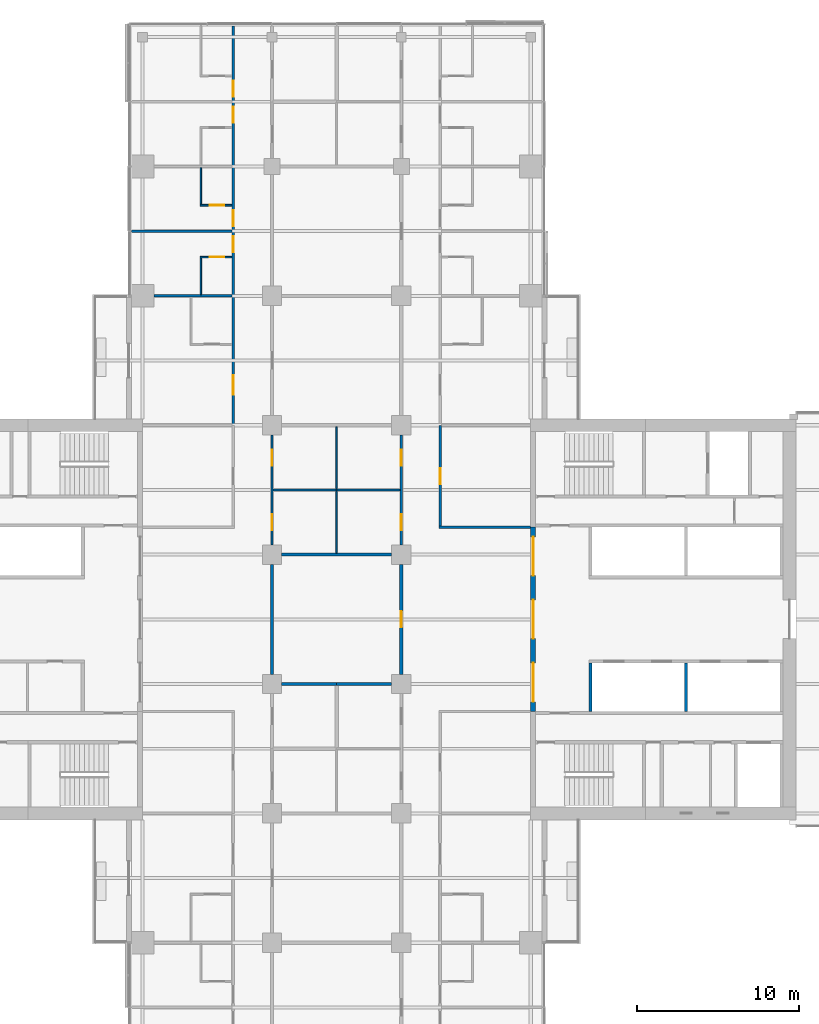
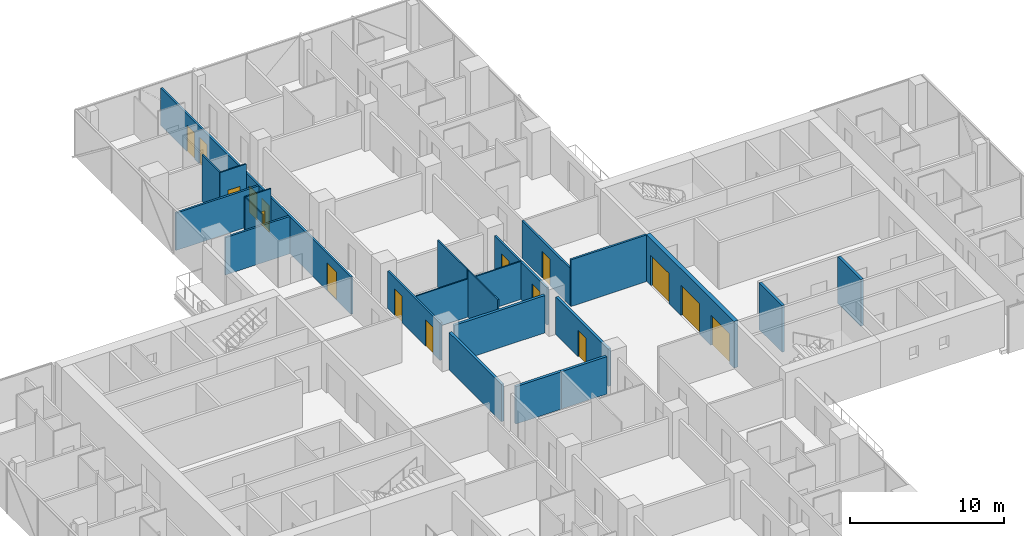
# One storey, part 20 of 29: 22 walls, 16 doors, 16 openings.
"""IFC4 building model written with IfcOpenShell, lengths in metres."""

from ifc_helpers import new_model, si_unit, direction, frame, frame_2d, origin, place, context, subcontext, project, spatial, rectangle, extrude, material, layer, layer_set, type_object, element, fill, save


model = new_model("IFC4")

# Units and contexts
model_context = context("Model", 3, precision=1e-05, world=origin(), true_north=direction((0.0, 1.0)))
body_context = subcontext(model_context, "Body", "Model", "MODEL_VIEW")
ifc_project = project(units=[si_unit("LENGTHUNIT", "METRE"), si_unit("AREAUNIT", "SQUARE_METRE"), si_unit("VOLUMEUNIT", "CUBIC_METRE"), si_unit("PLANEANGLEUNIT", "RADIAN"), si_unit("MASSUNIT", "GRAM", prefix="KILO")], contexts=[model_context])

# Site, building, storey
site_placement = place(None, origin())
site = spatial("IfcSite", under=ifc_project, at=site_placement, CompositionType="ELEMENT")
building_placement = place(site_placement, origin())
building = spatial("IfcBuilding", under=site, at=building_placement, Name="Crosswind Convention Tower", CompositionType="ELEMENT")
storey_placement = place(building_placement, frame((0.0, 0.0, 53.5)))
storey = spatial("IfcBuildingStorey", under=building, at=storey_placement, Name="L07", CompositionType="ELEMENT", Elevation=53.5)

# Walls
ifc_material_1 = material(Name="Concrete blockwork", Category="masonry")
ifc_layer_1 = layer(ifc_material_1, 0.199951171875)
ifc_layer_set_1 = layer_set([ifc_layer_1], Name="COMPARTMENT WALL 200")
wall_type_1 = type_object("IfcWallType", Name="COMPARTMENT WALL 200", PredefinedType="SOLIDWALL", material=ifc_layer_set_1)
wall_1_placement = place(storey_placement, frame((121.60009765625, 96.0, 0.0), z_axis=(0.0, 0.0, 1.0), x_axis=(1.0, 0.0, 0.0)))
element("IfcWall", 1, at=wall_1_placement, inside=storey, type_object=wall_type_1, Name="Compartment Wall 37", PredefinedType="SOLIDWALL", context=body_context, shape_type="SweptSolid", body=[
    extrude(rectangle(XDim=3.39990234375, YDim=0.199951171875, at=frame_2d((1.699951171875, 0.0))), origin(), (0.0, 0.0, 1.0), 2.959716796875),
])
ifc_material_2 = material(Name="Plasterboard partition", Category="gypsum")
ifc_layer_2 = layer(ifc_material_2, 0.14990234375)
ifc_layer_set_2 = layer_set([ifc_layer_2], Name="CORRIDOR WALL 150")
wall_type_2 = type_object("IfcWallType", Name="CORRIDOR WALL 150", PredefinedType="PARTITIONING", material=ifc_layer_set_2)
wall_2_placement = place(storey_placement, frame((131.324951171875, 105.699951171875, 0.0), z_axis=(0.0, 0.0, 1.0), x_axis=(1.0, 0.0, 0.0)))
element("IfcWall", 2, at=wall_2_placement, inside=storey, type_object=wall_type_2, Name="Corridor Wall 55", PredefinedType="PARTITIONING", context=body_context, shape_type="SweptSolid", body=[
    extrude(rectangle(XDim=5.675048828125, YDim=0.14990234375, at=frame_2d((2.83740234375, 0.0))), origin(), (0.0, 0.0, 1.0), 3.699951171875),
])

# Wall, openings, doors
wall_3_placement = place(storey_placement, frame((121.0, 104.60009765625, 0.0), z_axis=(0.0, 0.0, 1.0), x_axis=(0.0, 1.0, 0.0)))
wall_3 = element("IfcWall", 3, at=wall_3_placement, inside=storey, type_object=wall_type_2, Name="Corridor Wall 114", PredefinedType="PARTITIONING", context=body_context, shape_type="SweptSolid", body=[
    extrude(rectangle(XDim=6.7998046875, YDim=0.14990234375, at=frame_2d((3.39990234375, 0.0))), origin(), (0.0, 0.0, 1.0), 2.959716796875),
])
opening_1_placement = place(wall_3_placement, frame((0.89990234375, 0.0, 0.0)))
opening_1 = element("IfcOpeningElement", 4, at=opening_1_placement, cuts=wall_3, Name="Opening 07.080", PredefinedType="OPENING", context=body_context, shape_type="SweptSolid", body=[
    extrude(rectangle(XDim=1.0, YDim=2.10009765625, at=frame_2d((0.5, 1.050048828125))), frame((0.0, 0.0849609375, 0.0), z_axis=(0.0, -1.0, 0.0), x_axis=(1.0, 0.0, 0.0)), (0.0, 0.0, 1.0), 0.169921875),
])
opening_2_placement = place(wall_3_placement, frame((4.89990234375, 0.0, 0.0)))
opening_2 = element("IfcOpeningElement", 5, at=opening_2_placement, cuts=wall_3, Name="Opening 07.081", PredefinedType="OPENING", context=body_context, shape_type="SweptSolid", body=[
    extrude(rectangle(XDim=1.0, YDim=2.10009765625, at=frame_2d((0.5, 1.050048828125))), frame((0.0, 0.0849609375, 0.0), z_axis=(0.0, -1.0, 0.0), x_axis=(1.0, 0.0, 0.0)), (0.0, 0.0, 1.0), 0.169921875),
])
ifc_material_3 = material(Name="Timber fire door", Category="wood")
door_type_1 = type_object("IfcDoorType", Name="SERVICE ROOM DOOR 1000X2100", OperationType="NOTDEFINED", PredefinedType="DOOR", material=ifc_material_3)
door_1_placement = place(opening_1_placement, frame((1.0, 0.0, 0.0), z_axis=(0.0, 0.0, 1.0), x_axis=(-1.0, 0.0, 0.0)))
door_1 = element("IfcDoor", 6, at=door_1_placement, inside=storey, type_object=door_type_1, Name="Door 07.080", ObjectType="D3", OperationType="SINGLE_SWING_RIGHT", OverallHeight=2.10009765625, OverallWidth=1.0, PredefinedType="DOOR", context=body_context, shape_type="SweptSolid", body=[
    extrude(rectangle(XDim=1.0, YDim=2.10009765625, at=frame_2d((0.5, 1.050048828125))), frame((0.0, 0.02490234375, 0.0), z_axis=(0.0, -1.0, 0.0), x_axis=(1.0, 0.0, 0.0)), (0.0, 0.0, 1.0), 0.050048828125),
])
fill(opening_1, door_1)
door_2_placement = place(opening_2_placement, frame((1.0, 0.0, 0.0), z_axis=(0.0, 0.0, 1.0), x_axis=(-1.0, 0.0, 0.0)))
door_2 = element("IfcDoor", 7, at=door_2_placement, inside=storey, type_object=door_type_1, Name="Door 07.081", ObjectType="D3", OperationType="SINGLE_SWING_LEFT", OverallHeight=2.10009765625, OverallWidth=1.0, PredefinedType="DOOR", context=body_context, shape_type="SweptSolid", body=[
    extrude(rectangle(XDim=1.0, YDim=2.10009765625, at=frame_2d((0.5, 1.050048828125))), frame((0.0, 0.02490234375, 0.0), z_axis=(0.0, -1.0, 0.0), x_axis=(1.0, 0.0, 0.0)), (0.0, 0.0, 1.0), 0.050048828125),
])
fill(opening_2, door_2)

wall_4_placement = place(storey_placement, frame((129.0, 104.60009765625, 0.0), z_axis=(0.0, 0.0, 1.0), x_axis=(0.0, 1.0, 0.0)))
wall_4 = element("IfcWall", 8, at=wall_4_placement, inside=storey, type_object=wall_type_2, Name="Corridor Wall 134", PredefinedType="PARTITIONING", context=body_context, shape_type="SweptSolid", body=[
    extrude(rectangle(XDim=6.7998046875, YDim=0.14990234375, at=frame_2d((3.39990234375, 0.0))), origin(), (0.0, 0.0, 1.0), 2.959716796875),
])
opening_3_placement = place(wall_4_placement, frame((0.89990234375, 0.0, 0.0)))
opening_3 = element("IfcOpeningElement", 9, at=opening_3_placement, cuts=wall_4, Name="Opening 07.082", PredefinedType="OPENING", context=body_context, shape_type="SweptSolid", body=[
    extrude(rectangle(XDim=1.0, YDim=2.10009765625, at=frame_2d((0.5, 1.050048828125))), frame((0.0, 0.0849609375, 0.0), z_axis=(0.0, -1.0, 0.0), x_axis=(1.0, 0.0, 0.0)), (0.0, 0.0, 1.0), 0.169921875),
])
opening_4_placement = place(wall_4_placement, frame((4.89990234375, 0.0, 0.0)))
opening_4 = element("IfcOpeningElement", 10, at=opening_4_placement, cuts=wall_4, Name="Opening 07.083", PredefinedType="OPENING", context=body_context, shape_type="SweptSolid", body=[
    extrude(rectangle(XDim=1.0, YDim=2.10009765625, at=frame_2d((0.5, 1.050048828125))), frame((0.0, 0.0849609375, 0.0), z_axis=(0.0, -1.0, 0.0), x_axis=(1.0, 0.0, 0.0)), (0.0, 0.0, 1.0), 0.169921875),
])
door_3_placement = place(opening_3_placement, origin())
door_3 = element("IfcDoor", 11, at=door_3_placement, inside=storey, type_object=door_type_1, Name="Door 07.082", ObjectType="D3", OperationType="SINGLE_SWING_LEFT", OverallHeight=2.10009765625, OverallWidth=1.0, PredefinedType="DOOR", context=body_context, shape_type="SweptSolid", body=[
    extrude(rectangle(XDim=1.0, YDim=2.10009765625, at=frame_2d((0.5, 1.050048828125))), frame((0.0, 0.02490234375, 0.0), z_axis=(0.0, -1.0, 0.0), x_axis=(1.0, 0.0, 0.0)), (0.0, 0.0, 1.0), 0.050048828125),
])
fill(opening_3, door_3)
door_4_placement = place(opening_4_placement, origin())
door_4 = element("IfcDoor", 12, at=door_4_placement, inside=storey, type_object=door_type_1, Name="Door 07.083", ObjectType="D3", OperationType="SINGLE_SWING_RIGHT", OverallHeight=2.10009765625, OverallWidth=1.0, PredefinedType="DOOR", context=body_context, shape_type="SweptSolid", body=[
    extrude(rectangle(XDim=1.0, YDim=2.10009765625, at=frame_2d((0.5, 1.050048828125))), frame((0.0, 0.02490234375, 0.0), z_axis=(0.0, -1.0, 0.0), x_axis=(1.0, 0.0, 0.0)), (0.0, 0.0, 1.0), 0.050048828125),
])
fill(opening_4, door_4)

# Wall, opening, door
wall_5_placement = place(storey_placement, frame((131.39990234375, 105.77490234375, 0.0), z_axis=(0.0, 0.0, 1.0), x_axis=(0.0, 1.0, 0.0)))
wall_5 = element("IfcWall", 13, at=wall_5_placement, inside=storey, type_object=wall_type_2, Name="Corridor Wall 141", PredefinedType="PARTITIONING", context=body_context, shape_type="SweptSolid", body=[
    extrude(rectangle(XDim=6.22509765625, YDim=0.14990234375, at=frame_2d((3.112548828125, 0.0))), origin(), (0.0, 0.0, 1.0), 2.956298828125),
])
opening_5_placement = place(wall_5_placement, frame((2.574951171875, 0.0, 0.0)))
opening_5 = element("IfcOpeningElement", 14, at=opening_5_placement, cuts=wall_5, Name="Opening 07.001", PredefinedType="OPENING", context=body_context, shape_type="SweptSolid", body=[
    extrude(rectangle(XDim=1.0, YDim=2.10009765625, at=frame_2d((0.5, 1.050048828125))), frame((0.0, 0.0849609375, 0.0), z_axis=(0.0, -1.0, 0.0), x_axis=(1.0, 0.0, 0.0)), (0.0, 0.0, 1.0), 0.169921875),
])
door_5_placement = place(opening_5_placement, frame((1.0, 0.0, 0.0), z_axis=(0.0, 0.0, 1.0), x_axis=(-1.0, 0.0, 0.0)))
door_5 = element("IfcDoor", 15, at=door_5_placement, inside=storey, type_object=door_type_1, Name="Door 07.001", ObjectType="D3", OperationType="SINGLE_SWING_LEFT", OverallHeight=2.10009765625, OverallWidth=1.0, PredefinedType="DOOR", context=body_context, shape_type="SweptSolid", body=[
    extrude(rectangle(XDim=1.0, YDim=2.10009765625, at=frame_2d((0.5, 1.050048828125))), frame((0.0, 0.02490234375, 0.0), z_axis=(0.0, -1.0, 0.0), x_axis=(1.0, 0.0, 0.0)), (0.0, 0.0, 1.0), 0.050048828125),
])
fill(opening_5, door_5)

# Wall, openings, doors
ifc_material_4 = material(Name="Concrete C50/60", Category="concrete")
ifc_layer_3 = layer(ifc_material_4, 0.300048828125)
ifc_layer_set_3 = layer_set([ifc_layer_3], Name="Concrete C50/60")
wall_type_3 = type_object("IfcWallType", Name="Concrete inner core wall 300", PredefinedType="SHEAR", material=ifc_layer_set_3)
wall_6_placement = place(storey_placement, frame((137.14990234375, 94.300048828125, 0.0), z_axis=(0.0, 0.0, 1.0), x_axis=(0.0, 1.0, 0.0)))
wall_6 = element("IfcWall", 16, at=wall_6_placement, inside=storey, type_object=wall_type_3, Name="Wall SCR E L07", PredefinedType="SHEAR", context=body_context, shape_type="SweptSolid", body=[
    extrude(rectangle(XDim=11.39990234375, YDim=0.300048828125, at=frame_2d((5.699951171875, 0.0))), origin(), (0.0, 0.0, 1.0), 3.699951171875),
])
opening_6_placement = place(wall_6_placement, frame((0.60009765625, 0.0, 0.0)))
opening_6 = element("IfcOpeningElement", 17, at=opening_6_placement, cuts=wall_6, Name="Opening D100", PredefinedType="OPENING", context=body_context, shape_type="SweptSolid", body=[
    extrude(rectangle(XDim=2.39990234375, YDim=2.39990234375, at=frame_2d((1.199951171875, 1.199951171875))), frame((0.0, 0.159912109375, 0.0), z_axis=(0.0, -1.0, 0.0), x_axis=(1.0, 0.0, 0.0)), (0.0, 0.0, 1.0), 0.320068359375),
])
opening_7_placement = place(wall_6_placement, frame((4.5, 0.0, 0.0)))
opening_7 = element("IfcOpeningElement", 18, at=opening_7_placement, cuts=wall_6, Name="Opening D100", PredefinedType="OPENING", context=body_context, shape_type="SweptSolid", body=[
    extrude(rectangle(XDim=2.39990234375, YDim=2.39990234375, at=frame_2d((1.199951171875, 1.199951171875))), frame((0.0, 0.159912109375, 0.0), z_axis=(0.0, -1.0, 0.0), x_axis=(1.0, 0.0, 0.0)), (0.0, 0.0, 1.0), 0.320068359375),
])
opening_8_placement = place(wall_6_placement, frame((8.39990234375, 0.0, 0.0)))
opening_8 = element("IfcOpeningElement", 19, at=opening_8_placement, cuts=wall_6, Name="Opening D100", PredefinedType="OPENING", context=body_context, shape_type="SweptSolid", body=[
    extrude(rectangle(XDim=2.39990234375, YDim=2.39990234375, at=frame_2d((1.199951171875, 1.199951171875))), frame((0.0, 0.159912109375, 0.0), z_axis=(0.0, -1.0, 0.0), x_axis=(1.0, 0.0, 0.0)), (0.0, 0.0, 1.0), 0.320068359375),
])
ifc_material_5 = material(Name="Steel fire door with glazed vision panels", Category="steel")
door_type_2 = type_object("IfcDoorType", Name="Fire-rated double door 2400x2400", OperationType="DOUBLE_DOOR_SINGLE_SWING", PredefinedType="DOOR", material=ifc_material_5)
door_6_placement = place(opening_6_placement, origin())
door_6 = element("IfcDoor", 20, at=door_6_placement, inside=storey, type_object=door_type_2, Name="Lobby door 1 L07", ObjectType="D100", OperationType="DOUBLE_DOOR_SINGLE_SWING", OverallHeight=2.39990234375, OverallWidth=2.39990234375, PredefinedType="DOOR", context=body_context, shape_type="SweptSolid", body=[
    extrude(rectangle(XDim=2.39990234375, YDim=2.39990234375, at=frame_2d((1.199951171875, 1.199951171875))), frame((0.0, 0.02490234375, 0.0), z_axis=(0.0, -1.0, 0.0), x_axis=(1.0, 0.0, 0.0)), (0.0, 0.0, 1.0), 0.050048828125),
])
fill(opening_6, door_6)
door_7_placement = place(opening_7_placement, origin())
door_7 = element("IfcDoor", 21, at=door_7_placement, inside=storey, type_object=door_type_2, Name="Lobby door 2 L07", ObjectType="D100", OperationType="DOUBLE_DOOR_SINGLE_SWING", OverallHeight=2.39990234375, OverallWidth=2.39990234375, PredefinedType="DOOR", context=body_context, shape_type="SweptSolid", body=[
    extrude(rectangle(XDim=2.39990234375, YDim=2.39990234375, at=frame_2d((1.199951171875, 1.199951171875))), frame((0.0, 0.02490234375, 0.0), z_axis=(0.0, -1.0, 0.0), x_axis=(1.0, 0.0, 0.0)), (0.0, 0.0, 1.0), 0.050048828125),
])
fill(opening_7, door_7)
door_8_placement = place(opening_8_placement, origin())
door_8 = element("IfcDoor", 22, at=door_8_placement, inside=storey, type_object=door_type_2, Name="Lobby door 3 L07", ObjectType="D100", OperationType="DOUBLE_DOOR_SINGLE_SWING", OverallHeight=2.39990234375, OverallWidth=2.39990234375, PredefinedType="DOOR", context=body_context, shape_type="SweptSolid", body=[
    extrude(rectangle(XDim=2.39990234375, YDim=2.39990234375, at=frame_2d((1.199951171875, 1.199951171875))), frame((0.0, 0.02490234375, 0.0), z_axis=(0.0, -1.0, 0.0), x_axis=(1.0, 0.0, 0.0)), (0.0, 0.0, 1.0), 0.050048828125),
])
fill(opening_8, door_8)

# Walls
ifc_layer_4 = layer(ifc_material_4, 0.199951171875)
ifc_layer_set_4 = layer_set([ifc_layer_4], Name="Concrete C50/60")
wall_type_4 = type_object("IfcWallType", Name="Concrete shaft and stair wall 200", PredefinedType="SHEAR", material=ifc_layer_set_4)
for number, where, z_axis, x_axis, name in (
    (23, (140.699951171875, 94.300048828125, 0.0), (0.0, 0.0, 1.0), (0.0, 1.0, 0.0), "Wall RMEND E L07"),
    (24, (146.60009765625, 94.300048828125, 0.0), (0.0, 0.0, 1.0), (0.0, 1.0, 0.0), "Wall RMSEP E L07"),
):
    element("IfcWall", number, at=place(storey_placement, frame(where, z_axis=z_axis, x_axis=x_axis)), inside=storey, type_object=wall_type_4, Name=name, PredefinedType="SHEAR", context=body_context, shape_type="SweptSolid", body=[
        extrude(rectangle(XDim=3.0, YDim=0.199951171875, at=frame_2d((1.5, 0.0))), origin(), (0.0, 0.0, 1.0), 3.699951171875),
    ])
ifc_material_6 = material(Name="Acoustic plasterboard partition", Category="gypsum")
ifc_layer_5 = layer(ifc_material_6, 0.14990234375)
ifc_layer_set_5 = layer_set([ifc_layer_5], Name="GUEST ROOM WALL 150")
wall_type_5 = type_object("IfcWallType", Name="GUEST ROOM WALL 150", PredefinedType="PARTITIONING", material=ifc_layer_set_5)
wall_7_placement = place(storey_placement, frame((113.699951171875, 120.0, 0.0), z_axis=(0.0, 0.0, 1.0), x_axis=(1.0, 0.0, 0.0)))
element("IfcWall", 25, at=wall_7_placement, inside=storey, type_object=wall_type_5, Name="Guest Room Wall 66", PredefinedType="PARTITIONING", context=body_context, shape_type="SweptSolid", body=[
    extrude(rectangle(XDim=4.824951171875, YDim=0.14990234375, at=frame_2d((2.41259765625, 0.0))), origin(), (0.0, 0.0, 1.0), 2.959716796875),
])
wall_8_placement = place(storey_placement, frame((112.300048828125, 124.0, 0.0), z_axis=(0.0, 0.0, 1.0), x_axis=(1.0, 0.0, 0.0)))
element("IfcWall", 26, at=wall_8_placement, inside=storey, type_object=wall_type_5, Name="Guest Room Wall 71", PredefinedType="PARTITIONING", context=body_context, shape_type="SweptSolid", body=[
    extrude(rectangle(XDim=6.224853515625, YDim=0.14990234375, at=frame_2d((3.1123046875, 0.0))), origin(), (0.0, 0.0, 1.0), 2.962890625),
])

# Wall, openings, doors
wall_9_placement = place(storey_placement, frame((118.60009765625, 112.0, 0.0), z_axis=(0.0, 0.0, 1.0), x_axis=(0.0, 1.0, 0.0)))
wall_9 = element("IfcWall", 27, at=wall_9_placement, inside=storey, type_object=wall_type_5, Name="Guest Room Wall 106", PredefinedType="PARTITIONING", context=body_context, shape_type="SweptSolid", body=[
    extrude(rectangle(XDim=24.699951171875, YDim=0.14990234375, at=frame_2d((12.35009765625, 0.0))), origin(), (0.0, 0.0, 1.0), 2.956298828125),
])
opening_9_placement = place(wall_9_placement, frame((1.89990234375, 0.0, 0.0)))
opening_9 = element("IfcOpeningElement", 28, at=opening_9_placement, cuts=wall_9, Name="Opening 07.015", PredefinedType="OPENING", context=body_context, shape_type="SweptSolid", body=[
    extrude(rectangle(XDim=1.199951171875, YDim=2.199951171875, at=frame_2d((0.60009765625, 1.10009765625))), frame((0.0, 0.0849609375, 0.0), z_axis=(0.0, -1.0, 0.0), x_axis=(1.0, 0.0, 0.0)), (0.0, 0.0, 1.0), 0.169921875),
])
opening_10_placement = place(wall_9_placement, frame((10.699951171875, 0.0, 0.0)))
opening_10 = element("IfcOpeningElement", 29, at=opening_10_placement, cuts=wall_9, Name="Opening 07.017", PredefinedType="OPENING", context=body_context, shape_type="SweptSolid", body=[
    extrude(rectangle(XDim=1.0, YDim=2.10009765625, at=frame_2d((0.5, 1.050048828125))), frame((0.0, 0.0849609375, 0.0), z_axis=(0.0, -1.0, 0.0), x_axis=(1.0, 0.0, 0.0)), (0.0, 0.0, 1.0), 0.169921875),
])
opening_11_placement = place(wall_9_placement, frame((12.300048828125, 0.0, 0.0)))
opening_11 = element("IfcOpeningElement", 30, at=opening_11_placement, cuts=wall_9, Name="Opening 07.019", PredefinedType="OPENING", context=body_context, shape_type="SweptSolid", body=[
    extrude(rectangle(XDim=1.0, YDim=2.10009765625, at=frame_2d((0.5, 1.050048828125))), frame((0.0, 0.0849609375, 0.0), z_axis=(0.0, -1.0, 0.0), x_axis=(1.0, 0.0, 0.0)), (0.0, 0.0, 1.0), 0.169921875),
])
opening_12_placement = place(wall_9_placement, frame((18.699951171875, 0.0, 0.0)))
opening_12 = element("IfcOpeningElement", 31, at=opening_12_placement, cuts=wall_9, Name="Opening 07.021", PredefinedType="OPENING", context=body_context, shape_type="SweptSolid", body=[
    extrude(rectangle(XDim=1.0, YDim=2.10009765625, at=frame_2d((0.5, 1.050048828125))), frame((0.0, 0.0849609375, 0.0), z_axis=(0.0, -1.0, 0.0), x_axis=(1.0, 0.0, 0.0)), (0.0, 0.0, 1.0), 0.169921875),
])
opening_13_placement = place(wall_9_placement, frame((20.300048828125, 0.0, 0.0)))
opening_13 = element("IfcOpeningElement", 32, at=opening_13_placement, cuts=wall_9, Name="Opening 07.023", PredefinedType="OPENING", context=body_context, shape_type="SweptSolid", body=[
    extrude(rectangle(XDim=1.0, YDim=2.10009765625, at=frame_2d((0.5, 1.050048828125))), frame((0.0, 0.0849609375, 0.0), z_axis=(0.0, -1.0, 0.0), x_axis=(1.0, 0.0, 0.0)), (0.0, 0.0, 1.0), 0.169921875),
])
door_type_3 = type_object("IfcDoorType", Name="GUEST ROOM DOOR 1000X2100", OperationType="NOTDEFINED", PredefinedType="DOOR", material=ifc_material_3)
door_9_placement = place(opening_10_placement, origin())
door_9 = element("IfcDoor", 33, at=door_9_placement, inside=storey, type_object=door_type_3, Name="Door 07.017", ObjectType="D1", OperationType="SINGLE_SWING_RIGHT", OverallHeight=2.10009765625, OverallWidth=1.0, PredefinedType="DOOR", context=body_context, shape_type="SweptSolid", body=[
    extrude(rectangle(XDim=1.0, YDim=2.10009765625, at=frame_2d((0.5, 1.050048828125))), frame((0.0, 0.02490234375, 0.0), z_axis=(0.0, -1.0, 0.0), x_axis=(1.0, 0.0, 0.0)), (0.0, 0.0, 1.0), 0.050048828125),
])
fill(opening_10, door_9)
door_10_placement = place(opening_11_placement, origin())
door_10 = element("IfcDoor", 34, at=door_10_placement, inside=storey, type_object=door_type_3, Name="Door 07.019", ObjectType="D1", OperationType="SINGLE_SWING_RIGHT", OverallHeight=2.10009765625, OverallWidth=1.0, PredefinedType="DOOR", context=body_context, shape_type="SweptSolid", body=[
    extrude(rectangle(XDim=1.0, YDim=2.10009765625, at=frame_2d((0.5, 1.050048828125))), frame((0.0, 0.02490234375, 0.0), z_axis=(0.0, -1.0, 0.0), x_axis=(1.0, 0.0, 0.0)), (0.0, 0.0, 1.0), 0.050048828125),
])
fill(opening_11, door_10)
door_11_placement = place(opening_12_placement, origin())
door_11 = element("IfcDoor", 35, at=door_11_placement, inside=storey, type_object=door_type_3, Name="Door 07.021", ObjectType="D1", OperationType="SINGLE_SWING_RIGHT", OverallHeight=2.10009765625, OverallWidth=1.0, PredefinedType="DOOR", context=body_context, shape_type="SweptSolid", body=[
    extrude(rectangle(XDim=1.0, YDim=2.10009765625, at=frame_2d((0.5, 1.050048828125))), frame((0.0, 0.02490234375, 0.0), z_axis=(0.0, -1.0, 0.0), x_axis=(1.0, 0.0, 0.0)), (0.0, 0.0, 1.0), 0.050048828125),
])
fill(opening_12, door_11)
door_12_placement = place(opening_13_placement, origin())
door_12 = element("IfcDoor", 36, at=door_12_placement, inside=storey, type_object=door_type_3, Name="Door 07.023", ObjectType="D1", OperationType="SINGLE_SWING_RIGHT", OverallHeight=2.10009765625, OverallWidth=1.0, PredefinedType="DOOR", context=body_context, shape_type="SweptSolid", body=[
    extrude(rectangle(XDim=1.0, YDim=2.10009765625, at=frame_2d((0.5, 1.050048828125))), frame((0.0, 0.02490234375, 0.0), z_axis=(0.0, -1.0, 0.0), x_axis=(1.0, 0.0, 0.0)), (0.0, 0.0, 1.0), 0.050048828125),
])
fill(opening_13, door_12)
door_type_4 = type_object("IfcDoorType", Name="SUITE DOOR 1200X2200", OperationType="DOUBLE_DOOR_SINGLE_SWING", PredefinedType="DOOR", material=ifc_material_3)
door_13_placement = place(opening_9_placement, origin())
door_13 = element("IfcDoor", 37, at=door_13_placement, inside=storey, type_object=door_type_4, Name="Door 07.015", ObjectType="D14", OperationType="DOUBLE_DOOR_SINGLE_SWING", OverallHeight=2.199951171875, OverallWidth=1.199951171875, PredefinedType="DOOR", context=body_context, shape_type="SweptSolid", body=[
    extrude(rectangle(XDim=1.199951171875, YDim=2.199951171875, at=frame_2d((0.60009765625, 1.10009765625))), frame((0.0, 0.02490234375, 0.0), z_axis=(0.0, -1.0, 0.0), x_axis=(1.0, 0.0, 0.0)), (0.0, 0.0, 1.0), 0.050048828125),
])
fill(opening_9, door_13)

# Walls
ifc_material_7 = material(Name="Double plasterboard partition", Category="gypsum")
ifc_layer_6 = layer(ifc_material_7, 0.199951171875)
ifc_layer_set_6 = layer_set([ifc_layer_6], Name="HALL WALL 200")
wall_type_6 = type_object("IfcWallType", Name="HALL WALL 200", PredefinedType="PARTITIONING", material=ifc_layer_set_6)
wall_10_placement = place(storey_placement, frame((125.0, 96.0, 0.0), z_axis=(0.0, 0.0, 1.0), x_axis=(1.0, 0.0, 0.0)))
element("IfcWall", 38, at=wall_10_placement, inside=storey, type_object=wall_type_6, Name="Hall Wall 38", PredefinedType="PARTITIONING", context=body_context, shape_type="SweptSolid", body=[
    extrude(rectangle(XDim=3.39990234375, YDim=0.199951171875, at=frame_2d((1.699951171875, 0.0))), origin(), (0.0, 0.0, 1.0), 2.959716796875),
])
for number, where, z_axis, x_axis, name in (
    (39, (121.60009765625, 104.0, 0.0), (0.0, 0.0, 1.0), (1.0, 0.0, 0.0), "Hall Wall 49"),
    (40, (121.0, 96.60009765625, 0.0), (0.0, 0.0, 1.0), (0.0, 1.0, 0.0), "Hall Wall 113"),
):
    element("IfcWall", number, at=place(storey_placement, frame(where, z_axis=z_axis, x_axis=x_axis)), inside=storey, type_object=wall_type_6, Name=name, PredefinedType="PARTITIONING", context=body_context, shape_type="SweptSolid", body=[
        extrude(rectangle(XDim=6.7998046875, YDim=0.199951171875, at=frame_2d((3.39990234375, 0.0))), origin(), (0.0, 0.0, 1.0), 2.959716796875),
    ])

# Wall, opening, door
wall_11_placement = place(storey_placement, frame((129.0, 96.60009765625, 0.0), z_axis=(0.0, 0.0, 1.0), x_axis=(0.0, 1.0, 0.0)))
wall_11 = element("IfcWall", 41, at=wall_11_placement, inside=storey, type_object=wall_type_6, Name="Hall Wall 133", PredefinedType="PARTITIONING", context=body_context, shape_type="SweptSolid", body=[
    extrude(rectangle(XDim=6.7998046875, YDim=0.199951171875, at=frame_2d((3.39990234375, 0.0))), origin(), (0.0, 0.0, 1.0), 2.959716796875),
])
opening_14_placement = place(wall_11_placement, frame((2.89990234375, 0.0, 0.0)))
opening_14 = element("IfcOpeningElement", 42, at=opening_14_placement, cuts=wall_11, Name="Opening 07.079", PredefinedType="OPENING", context=body_context, shape_type="SweptSolid", body=[
    extrude(rectangle(XDim=1.0, YDim=2.10009765625, at=frame_2d((0.5, 1.050048828125))), frame((0.0, 0.10986328125, 0.0), z_axis=(0.0, -1.0, 0.0), x_axis=(1.0, 0.0, 0.0)), (0.0, 0.0, 1.0), 0.219970703125),
])
door_type_5 = type_object("IfcDoorType", Name="MEETING ROOM DOOR 1000X2100", OperationType="NOTDEFINED", PredefinedType="DOOR", material=ifc_material_3)
door_14_placement = place(opening_14_placement, origin())
door_14 = element("IfcDoor", 43, at=door_14_placement, inside=storey, type_object=door_type_5, Name="Door 07.079", ObjectType="D13", OperationType="SINGLE_SWING_RIGHT", OverallHeight=2.10009765625, OverallWidth=1.0, PredefinedType="DOOR", context=body_context, shape_type="SweptSolid", body=[
    extrude(rectangle(XDim=1.0, YDim=2.10009765625, at=frame_2d((0.5, 1.050048828125))), frame((0.0, 0.02490234375, 0.0), z_axis=(0.0, -1.0, 0.0), x_axis=(1.0, 0.0, 0.0)), (0.0, 0.0, 1.0), 0.050048828125),
])
fill(opening_14, door_14)

# Walls
ifc_layer_7 = layer(ifc_material_2, 0.10009765625)
ifc_layer_set_7 = layer_set([ifc_layer_7], Name="PARTITION 100")
wall_type_7 = type_object("IfcWallType", Name="PARTITION 100", PredefinedType="PARTITIONING", material=ifc_layer_set_7)
wall_12_placement = place(storey_placement, frame((121.074951171875, 108.0, 0.0), z_axis=(0.0, 0.0, 1.0), x_axis=(1.0, 0.0, 0.0)))
element("IfcWall", 44, at=wall_12_placement, inside=storey, type_object=wall_type_7, Name="Partition 57", PredefinedType="PARTITIONING", context=body_context, shape_type="SweptSolid", body=[
    extrude(rectangle(XDim=7.85009765625, YDim=0.10009765625, at=frame_2d((3.925048828125, 0.0))), origin(), (0.0, 0.0, 1.0), 3.013671875),
])
for number, where, z_axis, x_axis, name in (
    (45, (125.0, 104.10009765625, 0.0), (0.0, 0.0, 1.0), (0.0, 1.0, 0.0), "Partition 124"),
    (46, (125.0, 108.050048828125, 0.0), (0.0, 0.0, 1.0), (0.0, 1.0, 0.0), "Partition 125"),
):
    element("IfcWall", number, at=place(storey_placement, frame(where, z_axis=z_axis, x_axis=x_axis)), inside=storey, type_object=wall_type_7, Name=name, PredefinedType="PARTITIONING", context=body_context, shape_type="SweptSolid", body=[
        extrude(rectangle(XDim=3.849853515625, YDim=0.10009765625, at=frame_2d((1.9248046875, 0.0))), origin(), (0.0, 0.0, 1.0), 3.699951171875),
    ])

# Wall, opening, door
ifc_material_8 = material(Name="Water-resistant plasterboard partition", Category="gypsum")
ifc_layer_8 = layer(ifc_material_8, 0.10009765625)
ifc_layer_set_8 = layer_set([ifc_layer_8], Name="WET ROOM PARTITION 100")
wall_type_8 = type_object("IfcWallType", Name="WET ROOM PARTITION 100", PredefinedType="PLUMBINGWALL", material=ifc_layer_set_8)
wall_13_placement = place(storey_placement, frame((116.550048828125, 122.39990234375, 0.0), z_axis=(0.0, 0.0, 1.0), x_axis=(1.0, 0.0, 0.0)))
wall_13 = element("IfcWall", 47, at=wall_13_placement, inside=storey, type_object=wall_type_8, Name="Wet Room Partition 69", PredefinedType="PLUMBINGWALL", context=body_context, shape_type="SweptSolid", body=[
    extrude(rectangle(XDim=1.974853515625, YDim=0.10009765625, at=frame_2d((0.9873046875, 0.0))), origin(), (0.0, 0.0, 1.0), 3.699951171875),
])
opening_15_placement = place(wall_13_placement, frame((0.60009765625, 0.0, 0.0)))
opening_15 = element("IfcOpeningElement", 48, at=opening_15_placement, cuts=wall_13, Name="Opening 07.018", PredefinedType="OPENING", context=body_context, shape_type="SweptSolid", body=[
    extrude(rectangle(XDim=0.89990234375, YDim=2.10009765625, at=frame_2d((0.449951171875, 1.050048828125))), frame((0.0, 0.06005859375, 0.0), z_axis=(0.0, -1.0, 0.0), x_axis=(1.0, 0.0, 0.0)), (0.0, 0.0, 1.0), 0.1201171875),
])
ifc_material_9 = material(Name="Timber door", Category="wood")
door_type_6 = type_object("IfcDoorType", Name="EN-SUITE DOOR 900X2100", OperationType="NOTDEFINED", PredefinedType="DOOR", material=ifc_material_9)
door_15_placement = place(opening_15_placement, frame((0.89990234375, 0.0, 0.0), z_axis=(0.0, 0.0, 1.0), x_axis=(-1.0, 0.0, 0.0)))
door_15 = element("IfcDoor", 49, at=door_15_placement, inside=storey, type_object=door_type_6, Name="Door 07.018", ObjectType="D2", OperationType="SINGLE_SWING_LEFT", OverallHeight=2.10009765625, OverallWidth=0.89990234375, PredefinedType="DOOR", context=body_context, shape_type="SweptSolid", body=[
    extrude(rectangle(XDim=0.89990234375, YDim=2.10009765625, at=frame_2d((0.449951171875, 1.050048828125))), frame((0.0, 0.02490234375, 0.0), z_axis=(0.0, -1.0, 0.0), x_axis=(1.0, 0.0, 0.0)), (0.0, 0.0, 1.0), 0.050048828125),
])
fill(opening_15, door_15)

wall_14_placement = place(storey_placement, frame((116.550048828125, 125.60009765625, 0.0), z_axis=(0.0, 0.0, 1.0), x_axis=(1.0, 0.0, 0.0)))
wall_14 = element("IfcWall", 50, at=wall_14_placement, inside=storey, type_object=wall_type_8, Name="Wet Room Partition 73", PredefinedType="PLUMBINGWALL", context=body_context, shape_type="SweptSolid", body=[
    extrude(rectangle(XDim=1.974853515625, YDim=0.10009765625, at=frame_2d((0.9873046875, 0.0))), origin(), (0.0, 0.0, 1.0), 3.699951171875),
])
opening_16_placement = place(wall_14_placement, frame((0.60009765625, 0.0, 0.0)))
opening_16 = element("IfcOpeningElement", 51, at=opening_16_placement, cuts=wall_14, Name="Opening 07.020", PredefinedType="OPENING", context=body_context, shape_type="SweptSolid", body=[
    extrude(rectangle(XDim=0.89990234375, YDim=2.10009765625, at=frame_2d((0.449951171875, 1.050048828125))), frame((0.0, 0.06005859375, 0.0), z_axis=(0.0, -1.0, 0.0), x_axis=(1.0, 0.0, 0.0)), (0.0, 0.0, 1.0), 0.1201171875),
])
door_16_placement = place(opening_16_placement, origin())
door_16 = element("IfcDoor", 52, at=door_16_placement, inside=storey, type_object=door_type_6, Name="Door 07.020", ObjectType="D2", OperationType="SINGLE_SWING_RIGHT", OverallHeight=2.10009765625, OverallWidth=0.89990234375, PredefinedType="DOOR", context=body_context, shape_type="SweptSolid", body=[
    extrude(rectangle(XDim=0.89990234375, YDim=2.10009765625, at=frame_2d((0.449951171875, 1.050048828125))), frame((0.0, 0.02490234375, 0.0), z_axis=(0.0, -1.0, 0.0), x_axis=(1.0, 0.0, 0.0)), (0.0, 0.0, 1.0), 0.050048828125),
])
fill(opening_16, door_16)

# Walls
for number, where, z_axis, x_axis, name in (
    (53, (116.60009765625, 120.074951171875, 0.0), (0.0, 0.0, 1.0), (0.0, 1.0, 0.0), "Wet Room Partition 99"),
    (54, (116.60009765625, 125.64990234375, 0.0), (0.0, 0.0, 1.0), (0.0, 1.0, 0.0), "Wet Room Partition 100"),
):
    element("IfcWall", number, at=place(storey_placement, frame(where, z_axis=z_axis, x_axis=x_axis)), inside=storey, type_object=wall_type_8, Name=name, PredefinedType="PLUMBINGWALL", context=body_context, shape_type="SweptSolid", body=[
        extrude(rectangle(XDim=2.275146484375, YDim=0.10009765625, at=frame_2d((1.1376953125, 0.0))), origin(), (0.0, 0.0, 1.0), 3.699951171875),
    ])

save(model, "model.ifc")
